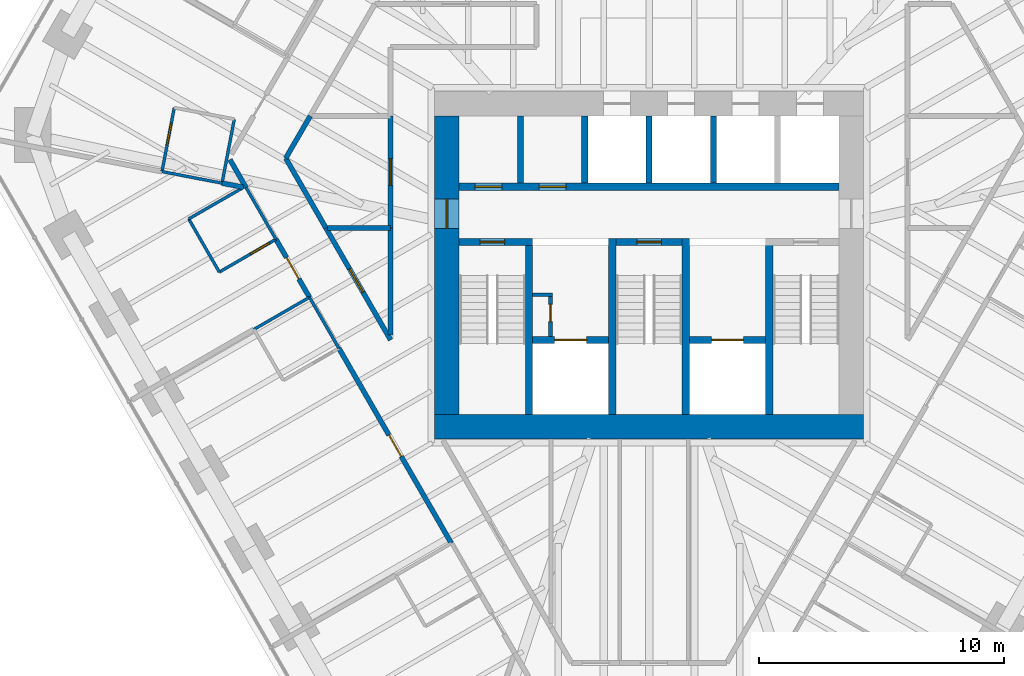
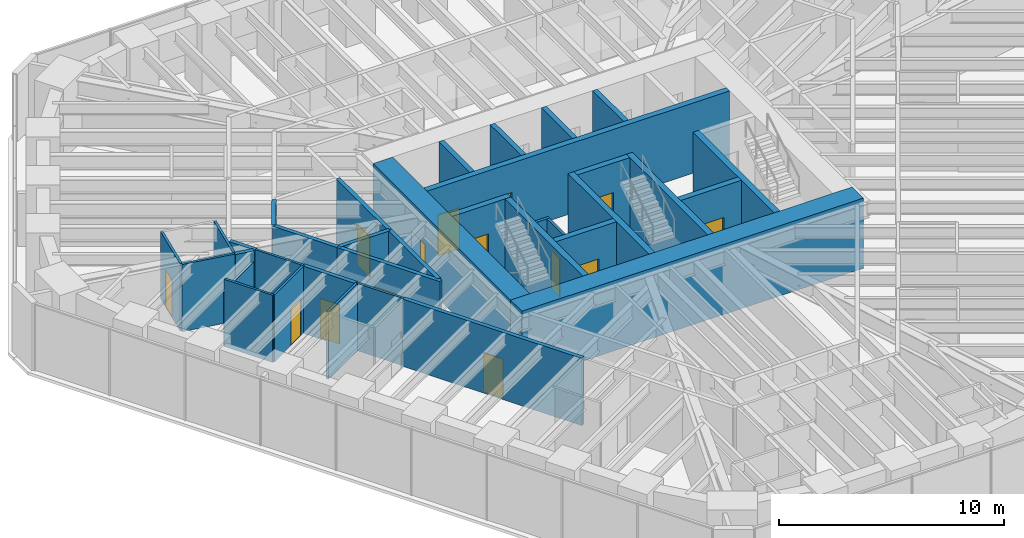
# One storey, part 12 of 17: 36 walls, 14 doors, 14 openings.
"""IFC4 building model written with IfcOpenShell, lengths in metres."""

from ifc_helpers import new_model, si_unit, direction, frame, frame_2d, origin, place, context, subcontext, project, spatial, rectangle, extrude, material, layer, layer_set, type_object, element, fill, save


model = new_model("IFC4")

# Units and contexts
model_context = context("Model", 3, precision=1e-05, world=origin(), true_north=direction((0.0, 1.0)))
body_context = subcontext(model_context, "Body", "Model", "MODEL_VIEW")
ifc_project = project(units=[si_unit("LENGTHUNIT", "METRE"), si_unit("AREAUNIT", "SQUARE_METRE"), si_unit("VOLUMEUNIT", "CUBIC_METRE"), si_unit("PLANEANGLEUNIT", "RADIAN"), si_unit("MASSUNIT", "GRAM", prefix="KILO")], contexts=[model_context])

# Site, building, storey
site_placement = place(None, origin())
site = spatial("IfcSite", under=ifc_project, at=site_placement, CompositionType="ELEMENT")
building_placement = place(site_placement, origin())
building = spatial("IfcBuilding", under=site, at=building_placement, Name="Sandreach Pilgrim Tower", CompositionType="ELEMENT")
storey_placement = place(building_placement, frame((0.0, 0.0, 217.39990234375)))
storey = spatial("IfcBuildingStorey", under=building, at=storey_placement, Name="L54", CompositionType="ELEMENT", Elevation=217.39990234375)

# Wall
ifc_material_1 = material(Name="Moisture-resistant gypsum board on steel studs", Category="steel")
ifc_layer_1 = layer(ifc_material_1, 0.1201171875)
ifc_layer_set_1 = layer_set([ifc_layer_1], Name="Bathroom partition 120")
wall_type_1 = type_object("IfcWallType", Name="Bathroom partition 120", PredefinedType="PARTITIONING", material=ifc_layer_set_1)
wall_1_placement = place(storey_placement, frame((-19.88134765625, 3.82275390625, 0.0), z_axis=(0.0, 0.0, 1.0), x_axis=(0.981896775229, -0.189416796496, 0.0)))
element("IfcWall", 1, at=wall_1_placement, inside=storey, type_object=wall_type_1, Name="Bathroom partition L54-003", PredefinedType="PARTITIONING", context=body_context, shape_type="SweptSolid", body=[
    extrude(rectangle(XDim=2.49658203125, YDim=0.1201171875, at=frame_2d((1.248291015625, 0.0))), origin(), (0.0, 0.0, 1.0), 3.64013671875),
])

# Wall, opening, door
wall_2_placement = place(storey_placement, frame((-19.3798828125, 6.429931640625, 0.0), z_axis=(0.0, 0.0, 1.0), x_axis=(-0.18885765444, -0.982004473696, 0.0)))
wall_2 = element("IfcWall", 2, at=wall_2_placement, inside=storey, type_object=wall_type_1, Name="Bathroom partition L54-004", PredefinedType="PARTITIONING", context=body_context, shape_type="SweptSolid", body=[
    extrude(rectangle(XDim=2.6474609375, YDim=0.1201171875, at=frame_2d((1.32373046875, 0.0))), origin(), (0.0, 0.0, 1.0), 3.64013671875),
])
opening_1_placement = place(wall_2_placement, frame((0.64990234375, 0.0, 0.0)))
opening_1 = element("IfcOpeningElement", 3, at=opening_1_placement, cuts=wall_2, Name="Opening D09-18B", PredefinedType="OPENING", context=body_context, shape_type="SweptSolid", body=[
    extrude(rectangle(XDim=0.89990234375, YDim=2.030029296875, at=frame_2d((0.449951171875, 1.01513671875))), frame((0.0, 0.06005859375, 0.0), z_axis=(0.0, -1.0, 0.0), x_axis=(1.0, 0.0, 0.0)), (0.0, 0.0, 1.0), 0.1201171875),
])
ifc_material_2 = material(Name="Timber door, steel frame", Category="steel")
door_type_1 = type_object("IfcDoorType", Name="Bathroom door", OperationType="SINGLE_SWING_LEFT", PredefinedType="DOOR", material=ifc_material_2)
door_1_placement = place(opening_1_placement, origin())
door_1 = element("IfcDoor", 4, at=door_1_placement, inside=storey, type_object=door_type_1, Name="Door 5418B", OperationType="SINGLE_SWING_LEFT", OverallHeight=2.030029296875, OverallWidth=0.89990234375, PredefinedType="DOOR", context=body_context, shape_type="SweptSolid", body=[
    extrude(rectangle(XDim=0.89990234375, YDim=2.030029296875, at=frame_2d((0.449951171875, 1.01513671875))), frame((0.0, 0.02490234375, 0.0), z_axis=(0.0, -1.0, 0.0), x_axis=(1.0, 0.0, 0.0)), (0.0, 0.0, 1.0), 0.050048828125),
])
fill(opening_1, door_1)

# Wall
wall_3_placement = place(storey_placement, frame((-18.7900390625, 1.889892578125, 0.0), z_axis=(0.0, 0.0, 1.0), x_axis=(0.499159685399, -0.866510016372, 0.0)))
element("IfcWall", 5, at=wall_3_placement, inside=storey, type_object=wall_type_1, Name="Bathroom partition L54-005", PredefinedType="PARTITIONING", context=body_context, shape_type="SweptSolid", body=[
    extrude(rectangle(XDim=2.504150390625, YDim=0.1201171875, at=frame_2d((1.251953125, 0.0))), origin(), (0.0, 0.0, 1.0), 3.64013671875),
])

# Wall, opening, door
wall_4_placement = place(storey_placement, frame((-17.5400390625, -0.280029296875, 0.0), z_axis=(0.0, 0.0, 1.0), x_axis=(0.86498992408, 0.501789229896, 0.0)))
wall_4 = element("IfcWall", 6, at=wall_4_placement, inside=storey, type_object=wall_type_1, Name="Bathroom partition L54-006", PredefinedType="PARTITIONING", context=body_context, shape_type="SweptSolid", body=[
    extrude(rectangle(XDim=2.670654296875, YDim=0.1201171875, at=frame_2d((1.33544921875, 0.0))), origin(), (0.0, 0.0, 1.0), 3.64013671875),
])
opening_2_placement = place(wall_4_placement, frame((1.470458984375, 0.0, 0.0)))
opening_2 = element("IfcOpeningElement", 7, at=opening_2_placement, cuts=wall_4, Name="Opening D09-17B", PredefinedType="OPENING", context=body_context, shape_type="SweptSolid", body=[
    extrude(rectangle(XDim=0.89990234375, YDim=2.030029296875, at=frame_2d((0.449951171875, 1.01513671875))), frame((0.0, 0.06005859375, 0.0), z_axis=(0.0, -1.0, 0.0), x_axis=(1.0, 0.0, 0.0)), (0.0, 0.0, 1.0), 0.1201171875),
])
door_2_placement = place(opening_2_placement, origin())
door_2 = element("IfcDoor", 8, at=door_2_placement, inside=storey, type_object=door_type_1, Name="Door 5417B", OperationType="SINGLE_SWING_RIGHT", OverallHeight=2.030029296875, OverallWidth=0.89990234375, PredefinedType="DOOR", context=body_context, shape_type="SweptSolid", body=[
    extrude(rectangle(XDim=0.89990234375, YDim=2.030029296875, at=frame_2d((0.449951171875, 1.01513671875))), frame((0.0, 0.02490234375, 0.0), z_axis=(0.0, -1.0, 0.0), x_axis=(1.0, 0.0, 0.0)), (0.0, 0.0, 1.0), 0.050048828125),
])
fill(opening_2, door_2)

# Walls
wall_5_placement = place(storey_placement, frame((-17.429931640625, 3.35009765625, 0.0), z_axis=(0.0, 0.0, 1.0), x_axis=(0.188159009227, 0.982138578433, 0.0)))
element("IfcWall", 9, at=wall_5_placement, inside=storey, type_object=wall_type_1, Name="Bathroom partition L54-007", PredefinedType="PARTITIONING", context=body_context, shape_type="SweptSolid", body=[
    extrude(rectangle(XDim=2.6572265625, YDim=0.1201171875, at=frame_2d((1.32861328125, 0.0))), origin(), (0.0, 0.0, 1.0), 3.64013671875),
])
wall_6_placement = place(storey_placement, frame((-16.623779296875, 3.1376953125, 0.0), z_axis=(0.0, 0.0, 1.0), x_axis=(-0.866525185869, -0.499133351175, 0.0)))
element("IfcWall", 10, at=wall_6_placement, inside=storey, type_object=wall_type_1, Name="Bathroom partition L54-013", PredefinedType="PARTITIONING", context=body_context, shape_type="SweptSolid", body=[
    extrude(rectangle(XDim=2.5, YDim=0.1201171875, at=frame_2d((1.25, 0.0))), origin(), (0.0, 0.0, 1.0), 3.0380859375),
])
wall_7_placement = place(storey_placement, frame((-16.449951171875, 3.169921875, 0.0), z_axis=(0.0, 0.0, 1.0), x_axis=(0.500566296323, -0.865698205488, 0.0)))
element("IfcWall", 11, at=wall_7_placement, inside=storey, type_object=wall_type_1, Name="Bathroom partition L54-014", PredefinedType="PARTITIONING", context=body_context, shape_type="SweptSolid", body=[
    extrude(rectangle(XDim=2.437255859375, YDim=0.1201171875, at=frame_2d((1.21875, 0.0))), origin(), (0.0, 0.0, 1.0), 3.64013671875),
])
wall_8_placement = place(storey_placement, frame((-16.1298828125, -2.6201171875, 0.0), z_axis=(0.0, 0.0, 1.0), x_axis=(0.866114241029, 0.499846097802, 0.0)))
element("IfcWall", 12, at=wall_8_placement, inside=storey, type_object=wall_type_1, Name="Bathroom partition L54-016", PredefinedType="PARTITIONING", context=body_context, shape_type="SweptSolid", body=[
    extrude(rectangle(XDim=2.620849609375, YDim=0.1201171875, at=frame_2d((1.310546875, 0.0))), origin(), (0.0, 0.0, 1.0), 3.64013671875),
])
wall_9_placement = place(storey_placement, frame((-13.860107421875, -1.31005859375, 0.0), z_axis=(0.0, 0.0, 1.0), x_axis=(0.499813401482, -0.866133109688, 0.0)))
element("IfcWall", 13, at=wall_9_placement, inside=storey, type_object=wall_type_1, Name="Bathroom partition L54-026", PredefinedType="PARTITIONING", context=body_context, shape_type="SweptSolid", body=[
    extrude(rectangle(XDim=2.4013671875, YDim=0.1201171875, at=frame_2d((1.20068359375, 0.0))), origin(), (0.0, 0.0, 1.0), 3.64013671875),
])
ifc_material_3 = material(Name="Concrete 10000 psi", Category="concrete")
ifc_layer_2 = layer(ifc_material_3, 0.300048828125)
ifc_layer_set_2 = layer_set([ifc_layer_2], Name="Core inner wall 300")
wall_type_2 = type_object("IfcWallType", Name="Core inner wall 300", PredefinedType="SHEAR", material=ifc_layer_set_2)
for number, where, z_axis, x_axis, name in (
    (14, (-4.89990234375, -6.10009765625, 0.0), (0.0, 0.0, 1.0), (0.0, 1.0, 0.0), "Core wall I0 L54"),
    (15, (-1.5, -6.10009765625, 0.0), (0.0, 0.0, 1.0), (0.0, 1.0, 0.0), "Core wall I1 L54"),
    (16, (1.5, -6.10009765625, 0.0), (0.0, 0.0, 1.0), (0.0, 1.0, 0.0), "Core wall I2 L54"),
    (17, (4.89990234375, -6.10009765625, 0.0), (0.0, 0.0, 1.0), (0.0, 1.0, 0.0), "Core wall I3 L54"),
):
    element("IfcWall", number, at=place(storey_placement, frame(where, z_axis=z_axis, x_axis=x_axis)), inside=storey, type_object=wall_type_2, Name=name, PredefinedType="SHEAR", context=body_context, shape_type="SweptSolid", body=[
        extrude(rectangle(XDim=7.2001953125, YDim=0.300048828125, at=frame_2d((3.60009765625, 0.0))), origin(), (0.0, 0.0, 1.0), 3.800048828125),
    ])

# Wall, opening, door
wall_10_placement = place(storey_placement, frame((-7.75, 0.949951171875, 0.0), z_axis=(0.0, 0.0, 1.0), x_axis=(1.0, 0.0, 0.0)))
wall_10 = element("IfcWall", 18, at=wall_10_placement, inside=storey, type_object=wall_type_2, Name="Core wall SN1 L54", PredefinedType="SHEAR", context=body_context, shape_type="SweptSolid", body=[
    extrude(rectangle(XDim=3.0, YDim=0.300048828125, at=frame_2d((1.5, 0.0))), origin(), (0.0, 0.0, 1.0), 3.800048828125),
])
opening_3_placement = place(wall_10_placement, frame((0.85009765625, 0.0, 0.0)))
opening_3 = element("IfcOpeningElement", 19, at=opening_3_placement, cuts=wall_10, Name="Opening D10S-ST1", PredefinedType="OPENING", context=body_context, shape_type="SweptSolid", body=[
    extrude(rectangle(XDim=1.0, YDim=2.199951171875, at=frame_2d((0.5, 1.10009765625))), frame((0.0, 0.14990234375, 0.0), z_axis=(0.0, -1.0, 0.0), x_axis=(1.0, 0.0, 0.0)), (0.0, 0.0, 1.0), 0.300048828125),
])
ifc_material_4 = material(Name="Steel door and frame", Category="steel")
door_type_2 = type_object("IfcDoorType", Name="Stair door", OperationType="SINGLE_SWING_LEFT", PredefinedType="DOOR", material=ifc_material_4)
door_3_placement = place(opening_3_placement, origin())
door_3 = element("IfcDoor", 20, at=door_3_placement, inside=storey, type_object=door_type_2, Name="Stair door ST1 L54", OperationType="SINGLE_SWING_LEFT", OverallHeight=2.199951171875, OverallWidth=1.0, PredefinedType="DOOR", context=body_context, shape_type="SweptSolid", body=[
    extrude(rectangle(XDim=1.0, YDim=2.199951171875, at=frame_2d((0.5, 1.10009765625))), frame((0.0, 0.02490234375, 0.0), z_axis=(0.0, -1.0, 0.0), x_axis=(1.0, 0.0, 0.0)), (0.0, 0.0, 1.0), 0.050048828125),
])
fill(opening_3, door_3)

wall_11_placement = place(storey_placement, frame((-1.35009765625, 0.949951171875, 0.0), z_axis=(0.0, 0.0, 1.0), x_axis=(1.0, 0.0, 0.0)))
wall_11 = element("IfcWall", 21, at=wall_11_placement, inside=storey, type_object=wall_type_2, Name="Core wall SN3 L54", PredefinedType="SHEAR", context=body_context, shape_type="SweptSolid", body=[
    extrude(rectangle(XDim=2.7001953125, YDim=0.300048828125, at=frame_2d((1.35009765625, 0.0))), origin(), (0.0, 0.0, 1.0), 3.800048828125),
])
opening_4_placement = place(wall_11_placement, frame((0.85009765625, 0.0, 0.0)))
opening_4 = element("IfcOpeningElement", 22, at=opening_4_placement, cuts=wall_11, Name="Opening D10S-ST3", PredefinedType="OPENING", context=body_context, shape_type="SweptSolid", body=[
    extrude(rectangle(XDim=1.0, YDim=2.199951171875, at=frame_2d((0.5, 1.10009765625))), frame((0.0, 0.14990234375, 0.0), z_axis=(0.0, -1.0, 0.0), x_axis=(1.0, 0.0, 0.0)), (0.0, 0.0, 1.0), 0.300048828125),
])
door_4_placement = place(opening_4_placement, origin())
door_4 = element("IfcDoor", 23, at=door_4_placement, inside=storey, type_object=door_type_2, Name="Stair door ST3 L54", OperationType="SINGLE_SWING_LEFT", OverallHeight=2.199951171875, OverallWidth=1.0, PredefinedType="DOOR", context=body_context, shape_type="SweptSolid", body=[
    extrude(rectangle(XDim=1.0, YDim=2.199951171875, at=frame_2d((0.5, 1.10009765625))), frame((0.0, 0.02490234375, 0.0), z_axis=(0.0, -1.0, 0.0), x_axis=(1.0, 0.0, 0.0)), (0.0, 0.0, 1.0), 0.050048828125),
])
fill(opening_4, door_4)

wall_12_placement = place(storey_placement, frame((-4.75, -3.050048828125, 0.0), z_axis=(0.0, 0.0, 1.0), x_axis=(1.0, 0.0, 0.0)))
wall_12 = element("IfcWall", 24, at=wall_12_placement, inside=storey, type_object=wall_type_2, Name="Core wall FL1 L54", PredefinedType="SHEAR", context=body_context, shape_type="SweptSolid", body=[
    extrude(rectangle(XDim=3.10009765625, YDim=0.300048828125, at=frame_2d((1.550048828125, 0.0))), origin(), (0.0, 0.0, 1.0), 3.800048828125),
])
opening_5_placement = place(wall_12_placement, frame((0.89990234375, 0.0, 0.0)))
opening_5 = element("IfcOpeningElement", 25, at=opening_5_placement, cuts=wall_12, Name="Opening LD13", PredefinedType="OPENING", context=body_context, shape_type="SweptSolid", body=[
    extrude(rectangle(XDim=1.300048828125, YDim=2.10009765625, at=frame_2d((0.64990234375, 1.050048828125))), frame((0.0, 0.14990234375, 0.0), z_axis=(0.0, -1.0, 0.0), x_axis=(1.0, 0.0, 0.0)), (0.0, 0.0, 1.0), 0.300048828125),
])
ifc_material_5 = material(Name="Steel door and frame", Category="steel")
door_type_3 = type_object("IfcDoorType", Name="Fire service lift landing door", OperationType="DOUBLE_DOOR_SLIDING", PredefinedType="DOOR", material=ifc_material_5)
door_5_placement = place(opening_5_placement, origin())
door_5 = element("IfcDoor", 26, at=door_5_placement, inside=storey, type_object=door_type_3, Name="Lift landing door FS1 L54", OperationType="DOUBLE_DOOR_SLIDING", OverallHeight=2.10009765625, OverallWidth=1.300048828125, PredefinedType="DOOR", context=body_context, shape_type="SweptSolid", body=[
    extrude(rectangle(XDim=1.300048828125, YDim=2.10009765625, at=frame_2d((0.64990234375, 1.050048828125))), frame((0.0, 0.02490234375, 0.0), z_axis=(0.0, -1.0, 0.0), x_axis=(1.0, 0.0, 0.0)), (0.0, 0.0, 1.0), 0.050048828125),
])
fill(opening_5, door_5)

wall_13_placement = place(storey_placement, frame((1.64990234375, -3.050048828125, 0.0), z_axis=(0.0, 0.0, 1.0), x_axis=(1.0, 0.0, 0.0)))
wall_13 = element("IfcWall", 27, at=wall_13_placement, inside=storey, type_object=wall_type_2, Name="Core wall FL2 L54", PredefinedType="SHEAR", context=body_context, shape_type="SweptSolid", body=[
    extrude(rectangle(XDim=3.10009765625, YDim=0.300048828125, at=frame_2d((1.550048828125, 0.0))), origin(), (0.0, 0.0, 1.0), 3.800048828125),
])
opening_6_placement = place(wall_13_placement, frame((0.89990234375, 0.0, 0.0)))
opening_6 = element("IfcOpeningElement", 28, at=opening_6_placement, cuts=wall_13, Name="Opening LD13", PredefinedType="OPENING", context=body_context, shape_type="SweptSolid", body=[
    extrude(rectangle(XDim=1.300048828125, YDim=2.10009765625, at=frame_2d((0.64990234375, 1.050048828125))), frame((0.0, 0.14990234375, 0.0), z_axis=(0.0, -1.0, 0.0), x_axis=(1.0, 0.0, 0.0)), (0.0, 0.0, 1.0), 0.300048828125),
])
door_6_placement = place(opening_6_placement, origin())
door_6 = element("IfcDoor", 29, at=door_6_placement, inside=storey, type_object=door_type_3, Name="Lift landing door FS2 L54", OperationType="DOUBLE_DOOR_SLIDING", OverallHeight=2.10009765625, OverallWidth=1.300048828125, PredefinedType="DOOR", context=body_context, shape_type="SweptSolid", body=[
    extrude(rectangle(XDim=1.300048828125, YDim=2.10009765625, at=frame_2d((0.64990234375, 1.050048828125))), frame((0.0, 0.02490234375, 0.0), z_axis=(0.0, -1.0, 0.0), x_axis=(1.0, 0.0, 0.0)), (0.0, 0.0, 1.0), 0.050048828125),
])
fill(opening_6, door_6)

# Wall, openings, doors
wall_14_placement = place(storey_placement, frame((-7.75, 3.199951171875, 0.0), z_axis=(0.0, 0.0, 1.0), x_axis=(1.0, 0.0, 0.0)))
wall_14 = element("IfcWall", 30, at=wall_14_placement, inside=storey, type_object=wall_type_2, Name="Core wall PN L54", PredefinedType="SHEAR", context=body_context, shape_type="SweptSolid", body=[
    extrude(rectangle(XDim=15.5, YDim=0.300048828125, at=frame_2d((7.75, 0.0))), origin(), (0.0, 0.0, 1.0), 3.800048828125),
])
opening_7_placement = place(wall_14_placement, frame((0.637451171875, 0.0, 0.0)))
opening_7 = element("IfcOpeningElement", 31, at=opening_7_placement, cuts=wall_14, Name="Opening D11L", PredefinedType="OPENING", context=body_context, shape_type="SweptSolid", body=[
    extrude(rectangle(XDim=1.10009765625, YDim=2.199951171875, at=frame_2d((0.550048828125, 1.10009765625))), frame((0.0, 0.14990234375, 0.0), z_axis=(0.0, -1.0, 0.0), x_axis=(1.0, 0.0, 0.0)), (0.0, 0.0, 1.0), 0.300048828125),
])
opening_8_placement = place(wall_14_placement, frame((3.262451171875, 0.0, 0.0)))
opening_8 = element("IfcOpeningElement", 32, at=opening_8_placement, cuts=wall_14, Name="Opening D11L", PredefinedType="OPENING", context=body_context, shape_type="SweptSolid", body=[
    extrude(rectangle(XDim=1.10009765625, YDim=2.199951171875, at=frame_2d((0.550048828125, 1.10009765625))), frame((0.0, 0.14990234375, 0.0), z_axis=(0.0, -1.0, 0.0), x_axis=(1.0, 0.0, 0.0)), (0.0, 0.0, 1.0), 0.300048828125),
])
ifc_material_6 = material(Name="Steel door and frame, smoke seals", Category="steel")
door_type_4 = type_object("IfcDoorType", Name="Core room door", OperationType="SINGLE_SWING_LEFT", PredefinedType="DOOR", material=ifc_material_6)
door_7_placement = place(opening_7_placement, origin())
door_7 = element("IfcDoor", 33, at=door_7_placement, inside=storey, type_object=door_type_4, Name="Door guest pantry 54K1", OperationType="SINGLE_SWING_LEFT", OverallHeight=2.199951171875, OverallWidth=1.10009765625, PredefinedType="DOOR", context=body_context, shape_type="SweptSolid", body=[
    extrude(rectangle(XDim=1.10009765625, YDim=2.199951171875, at=frame_2d((0.550048828125, 1.10009765625))), frame((0.0, 0.02490234375, 0.0), z_axis=(0.0, -1.0, 0.0), x_axis=(1.0, 0.0, 0.0)), (0.0, 0.0, 1.0), 0.050048828125),
])
fill(opening_7, door_7)
door_8_placement = place(opening_8_placement, origin())
door_8 = element("IfcDoor", 34, at=door_8_placement, inside=storey, type_object=door_type_4, Name="Door it room 54K2", OperationType="SINGLE_SWING_LEFT", OverallHeight=2.199951171875, OverallWidth=1.10009765625, PredefinedType="DOOR", context=body_context, shape_type="SweptSolid", body=[
    extrude(rectangle(XDim=1.10009765625, YDim=2.199951171875, at=frame_2d((0.550048828125, 1.10009765625))), frame((0.0, 0.02490234375, 0.0), z_axis=(0.0, -1.0, 0.0), x_axis=(1.0, 0.0, 0.0)), (0.0, 0.0, 1.0), 0.050048828125),
])
fill(opening_8, door_8)

# Wall
ifc_material_7 = material(Name="Concrete 10000 psi", Category="concrete")
ifc_layer_3 = layer(ifc_material_7, 1.0)
ifc_layer_set_3 = layer_set([ifc_layer_3], Name="Core wall 1000")
wall_type_3 = type_object("IfcWallType", Name="Core wall 1000", PredefinedType="SHEAR", material=ifc_layer_set_3)
wall_15_placement = place(storey_placement, frame((-8.75, -6.60009765625, 0.0), z_axis=(0.0, 0.0, 1.0), x_axis=(1.0, 0.0, 0.0)))
element("IfcWall", 35, at=wall_15_placement, inside=storey, type_object=wall_type_3, Name="Core wall S L54", PredefinedType="SHEAR", context=body_context, shape_type="SweptSolid", body=[
    extrude(rectangle(XDim=17.5, YDim=1.0, at=frame_2d((8.75, 0.0))), origin(), (0.0, 0.0, 1.0), 3.800048828125),
])

# Wall, opening, door
wall_16_placement = place(storey_placement, frame((-8.25, -6.10009765625, 0.0), z_axis=(0.0, 0.0, 1.0), x_axis=(0.0, 1.0, 0.0)))
wall_16 = element("IfcWall", 36, at=wall_16_placement, inside=storey, type_object=wall_type_3, Name="Core wall W L54", PredefinedType="SHEAR", context=body_context, shape_type="SweptSolid", body=[
    extrude(rectangle(XDim=12.2001953125, YDim=1.0, at=frame_2d((6.10009765625, 0.0))), origin(), (0.0, 0.0, 1.0), 3.800048828125),
])
opening_9_placement = place(wall_16_placement, frame((7.60009765625, 0.0, 0.0)))
opening_9 = element("IfcOpeningElement", 37, at=opening_9_placement, cuts=wall_16, Name="Opening D12F-W", PredefinedType="OPENING", context=body_context, shape_type="SweptSolid", body=[
    extrude(rectangle(XDim=1.199951171875, YDim=2.199951171875, at=frame_2d((0.60009765625, 1.10009765625))), frame((0.0, 0.5, 0.0), z_axis=(0.0, -1.0, 0.0), x_axis=(1.0, 0.0, 0.0)), (0.0, 0.0, 1.0), 1.0),
])
ifc_material_8 = material(Name="Steel door and frame", Category="steel")
door_type_5 = type_object("IfcDoorType", Name="Fire lobby door", OperationType="SINGLE_SWING_LEFT", PredefinedType="DOOR", material=ifc_material_8)
door_9_placement = place(opening_9_placement, origin())
door_9 = element("IfcDoor", 38, at=door_9_placement, inside=storey, type_object=door_type_5, Name="Fire service lobby door W L54", OperationType="SINGLE_SWING_RIGHT", OverallHeight=2.199951171875, OverallWidth=1.199951171875, PredefinedType="DOOR", context=body_context, shape_type="SweptSolid", body=[
    extrude(rectangle(XDim=1.199951171875, YDim=2.199951171875, at=frame_2d((0.60009765625, 1.10009765625))), frame((0.0, 0.02490234375, 0.0), z_axis=(0.0, -1.0, 0.0), x_axis=(1.0, 0.0, 0.0)), (0.0, 0.0, 1.0), 0.050048828125),
])
fill(opening_9, door_9)

# Wall
ifc_material_9 = material(Name="Gypsum board on steel studs, two layers each side", Category="steel")
ifc_layer_4 = layer(ifc_material_9, 0.199951171875)
ifc_layer_set_4 = layer_set([ifc_layer_4], Name="Corridor wall 200")
wall_type_4 = type_object("IfcWallType", Name="Corridor wall 200", PredefinedType="PARTITIONING", material=ifc_layer_set_4)
wall_17_placement = place(storey_placement, frame((-17.107666015625, 4.313720703125, 0.0), z_axis=(0.0, 0.0, 1.0), x_axis=(0.498488506644, -0.866896307954, 0.0)))
element("IfcWall", 39, at=wall_17_placement, inside=storey, type_object=wall_type_4, Name="Corridor wall L54-009", PredefinedType="PARTITIONING", context=body_context, shape_type="SweptSolid", body=[
    extrude(rectangle(XDim=1.3193359375, YDim=0.199951171875, at=frame_2d((0.65966796875, 0.0))), origin(), (0.0, 0.0, 1.0), 3.64013671875),
])

# Wall, opening, door
wall_18_placement = place(storey_placement, frame((-15.22998046875, 1.06005859375, 0.0), z_axis=(0.0, 0.0, 1.0), x_axis=(0.500406860043, -0.865790375565, 0.0)))
wall_18 = element("IfcWall", 40, at=wall_18_placement, inside=storey, type_object=wall_type_4, Name="Corridor wall L54-019", PredefinedType="PARTITIONING", context=body_context, shape_type="SweptSolid", body=[
    extrude(rectangle(XDim=2.737548828125, YDim=0.199951171875, at=frame_2d((1.36865234375, 0.0))), origin(), (0.0, 0.0, 1.0), 3.64013671875),
])
opening_10_placement = place(wall_18_placement, frame((0.86865234375, 0.0, 0.0)))
opening_10 = element("IfcOpeningElement", 41, at=opening_10_placement, cuts=wall_18, Name="Opening D10-17", PredefinedType="OPENING", context=body_context, shape_type="SweptSolid", body=[
    extrude(rectangle(XDim=1.0, YDim=2.1298828125, at=frame_2d((0.5, 1.06494140625))), frame((0.0, 0.10009765625, 0.0), z_axis=(0.0, -1.0, 0.0), x_axis=(1.0, 0.0, 0.0)), (0.0, 0.0, 1.0), 0.199951171875),
])
ifc_material_10 = material(Name="Steel door and frame", Category="steel")
door_type_6 = type_object("IfcDoorType", Name="Guest room entry door", OperationType="SINGLE_SWING_LEFT", PredefinedType="DOOR", material=ifc_material_10)
door_10_placement = place(opening_10_placement, origin())
door_10 = element("IfcDoor", 42, at=door_10_placement, inside=storey, type_object=door_type_6, Name="Door 5417", OperationType="SINGLE_SWING_LEFT", OverallHeight=2.1298828125, OverallWidth=1.0, PredefinedType="DOOR", context=body_context, shape_type="SweptSolid", body=[
    extrude(rectangle(XDim=1.0, YDim=2.1298828125, at=frame_2d((0.5, 1.06494140625))), frame((0.0, 0.02490234375, 0.0), z_axis=(0.0, -1.0, 0.0), x_axis=(1.0, 0.0, 0.0)), (0.0, 0.0, 1.0), 0.050048828125),
])
fill(opening_10, door_10)

# Walls
wall_19_placement = place(storey_placement, frame((-14.830078125, 4.3701171875, 0.0), z_axis=(0.0, 0.0, 1.0), x_axis=(0.502626855825, 0.864503466623, 0.0)))
element("IfcWall", 43, at=wall_19_placement, inside=storey, type_object=wall_type_4, Name="Corridor wall L54-022", PredefinedType="PARTITIONING", context=body_context, shape_type="SweptSolid", body=[
    extrude(rectangle(XDim=1.989501953125, YDim=0.199951171875, at=frame_2d((0.99462890625, 0.0))), origin(), (0.0, 0.0, 1.0), 3.64013671875),
])
wall_20_placement = place(storey_placement, frame((-13.18994140625, 1.52001953125, 0.0), z_axis=(0.0, 0.0, 1.0), x_axis=(-0.498775186059, 0.866731396554, 0.0)))
element("IfcWall", 44, at=wall_20_placement, inside=storey, type_object=wall_type_4, Name="Corridor wall L54-030", PredefinedType="PARTITIONING", context=body_context, shape_type="SweptSolid", body=[
    extrude(rectangle(XDim=3.288330078125, YDim=0.199951171875, at=frame_2d((1.64404296875, 0.0))), origin(), (0.0, 0.0, 1.0), 3.64013671875),
])

# Wall, opening, door
wall_21_placement = place(storey_placement, frame((-12.659912109375, -3.389892578125, 0.0), z_axis=(0.0, 0.0, 1.0), x_axis=(0.499511590934, -0.866307203319, 0.0)))
wall_21 = element("IfcWall", 45, at=wall_21_placement, inside=storey, type_object=wall_type_4, Name="Corridor wall L54-031", PredefinedType="PARTITIONING", context=body_context, shape_type="SweptSolid", body=[
    extrude(rectangle(XDim=9.188720703125, YDim=0.199951171875, at=frame_2d((4.59423828125, 0.0))), origin(), (0.0, 0.0, 1.0), 3.64013671875),
])
opening_11_placement = place(wall_21_placement, frame((4.09423828125, 0.0, 0.0)))
opening_11 = element("IfcOpeningElement", 46, at=opening_11_placement, cuts=wall_21, Name="Opening D10-16", PredefinedType="OPENING", context=body_context, shape_type="SweptSolid", body=[
    extrude(rectangle(XDim=1.0, YDim=2.1298828125, at=frame_2d((0.5, 1.06494140625))), frame((0.0, 0.10009765625, 0.0), z_axis=(0.0, -1.0, 0.0), x_axis=(1.0, 0.0, 0.0)), (0.0, 0.0, 1.0), 0.199951171875),
])
door_11_placement = place(opening_11_placement, origin())
door_11 = element("IfcDoor", 47, at=door_11_placement, inside=storey, type_object=door_type_6, Name="Door 5416", OperationType="SINGLE_SWING_LEFT", OverallHeight=2.1298828125, OverallWidth=1.0, PredefinedType="DOOR", context=body_context, shape_type="SweptSolid", body=[
    extrude(rectangle(XDim=1.0, YDim=2.1298828125, at=frame_2d((0.5, 1.06494140625))), frame((0.0, 0.02490234375, 0.0), z_axis=(0.0, -1.0, 0.0), x_axis=(1.0, 0.0, 0.0)), (0.0, 0.0, 1.0), 0.050048828125),
])
fill(opening_11, door_11)

wall_22_placement = place(storey_placement, frame((-10.550048828125, -3.050048828125, 0.0), z_axis=(0.0, 0.0, 1.0), x_axis=(-0.500193590286, 0.865913605527, 0.0)))
wall_22 = element("IfcWall", 48, at=wall_22_placement, inside=storey, type_object=wall_type_4, Name="Corridor wall L54-036", PredefinedType="PARTITIONING", context=body_context, shape_type="SweptSolid", body=[
    extrude(rectangle(XDim=5.27783203125, YDim=0.199951171875, at=frame_2d((2.638916015625, 0.0))), origin(), (0.0, 0.0, 1.0), 3.64013671875),
])
opening_12_placement = place(wall_22_placement, frame((2.25, 0.0, 0.0)))
opening_12 = element("IfcOpeningElement", 49, at=opening_12_placement, cuts=wall_22, Name="Opening D11H-M02", PredefinedType="OPENING", context=body_context, shape_type="SweptSolid", body=[
    extrude(rectangle(XDim=1.10009765625, YDim=2.199951171875, at=frame_2d((0.550048828125, 1.10009765625))), frame((0.0, 0.10009765625, 0.0), z_axis=(0.0, -1.0, 0.0), x_axis=(1.0, 0.0, 0.0)), (0.0, 0.0, 1.0), 0.199951171875),
])
ifc_material_11 = material(Name="Steel door and frame", Category="steel")
door_type_7 = type_object("IfcDoorType", Name="Back of house door", OperationType="SINGLE_SWING_LEFT", PredefinedType="DOOR", material=ifc_material_11)
door_12_placement = place(opening_12_placement, origin())
door_12 = element("IfcDoor", 50, at=door_12_placement, inside=storey, type_object=door_type_7, Name="Door 54M02", OperationType="SINGLE_SWING_RIGHT", OverallHeight=2.199951171875, OverallWidth=1.10009765625, PredefinedType="DOOR", context=body_context, shape_type="SweptSolid", body=[
    extrude(rectangle(XDim=1.10009765625, YDim=2.199951171875, at=frame_2d((0.550048828125, 1.10009765625))), frame((0.0, 0.02490234375, 0.0), z_axis=(0.0, -1.0, 0.0), x_axis=(1.0, 0.0, 0.0)), (0.0, 0.0, 1.0), 0.050048828125),
])
fill(opening_12, door_12)

# Wall
wall_23_placement = place(storey_placement, frame((-10.550048828125, 1.52001953125, 0.0), z_axis=(0.0, 0.0, 1.0), x_axis=(0.0, -1.0, 0.0)))
element("IfcWall", 51, at=wall_23_placement, inside=storey, type_object=wall_type_4, Name="Corridor wall L54-037", PredefinedType="PARTITIONING", context=body_context, shape_type="SweptSolid", body=[
    extrude(rectangle(XDim=4.375, YDim=0.199951171875, at=frame_2d((2.1875, 0.0))), origin(), (0.0, 0.0, 1.0), 3.64013671875),
])

# Wall, opening, door
wall_24_placement = place(storey_placement, frame((-10.550048828125, 6.090087890625, 0.0), z_axis=(0.0, 0.0, 1.0), x_axis=(0.0, -1.0, 0.0)))
wall_24 = element("IfcWall", 52, at=wall_24_placement, inside=storey, type_object=wall_type_4, Name="Corridor wall L54-038", PredefinedType="PARTITIONING", context=body_context, shape_type="SweptSolid", body=[
    extrude(rectangle(XDim=4.570068359375, YDim=0.199951171875, at=frame_2d((2.28515625, 0.0))), origin(), (0.0, 0.0, 1.0), 3.64013671875),
])
opening_13_placement = place(wall_24_placement, frame((1.735107421875, 0.0, 0.0)))
opening_13 = element("IfcOpeningElement", 53, at=opening_13_placement, cuts=wall_24, Name="Opening D11H-M01", PredefinedType="OPENING", context=body_context, shape_type="SweptSolid", body=[
    extrude(rectangle(XDim=1.10009765625, YDim=2.199951171875, at=frame_2d((0.550048828125, 1.10009765625))), frame((0.0, 0.10009765625, 0.0), z_axis=(0.0, -1.0, 0.0), x_axis=(1.0, 0.0, 0.0)), (0.0, 0.0, 1.0), 0.199951171875),
])
door_13_placement = place(opening_13_placement, origin())
door_13 = element("IfcDoor", 54, at=door_13_placement, inside=storey, type_object=door_type_7, Name="Door 54M01", OperationType="SINGLE_SWING_LEFT", OverallHeight=2.199951171875, OverallWidth=1.10009765625, PredefinedType="DOOR", context=body_context, shape_type="SweptSolid", body=[
    extrude(rectangle(XDim=1.10009765625, YDim=2.199951171875, at=frame_2d((0.550048828125, 1.10009765625))), frame((0.0, 0.02490234375, 0.0), z_axis=(0.0, -1.0, 0.0), x_axis=(1.0, 0.0, 0.0)), (0.0, 0.0, 1.0), 0.050048828125),
])
fill(opening_13, door_13)

# Walls
ifc_material_12 = material(Name="Double steel stud acoustic wall, gypsum board", Category="steel")
ifc_layer_5 = layer(ifc_material_12, 0.199951171875)
ifc_layer_set_5 = layer_set([ifc_layer_5], Name="Party wall 200")
wall_type_5 = type_object("IfcWallType", Name="Party wall 200", PredefinedType="PARTITIONING", material=ifc_layer_set_5)
wall_25_placement = place(storey_placement, frame((-17.429931640625, 3.349853515625, 0.0), z_axis=(0.0, 0.0, 1.0), x_axis=(0.981858463983, -0.189615286052, 0.0)))
element("IfcWall", 55, at=wall_25_placement, inside=storey, type_object=wall_type_5, Name="Party wall L54-008", PredefinedType="PARTITIONING", context=body_context, shape_type="SweptSolid", body=[
    extrude(rectangle(XDim=0.896240234375, YDim=0.199951171875, at=frame_2d((0.4482421875, 0.0))), origin(), (0.0, 0.0, 1.0), 3.64013671875),
])
wall_26_placement = place(storey_placement, frame((-10.56005859375, 1.52001953125, 0.0), z_axis=(0.0, 0.0, 1.0), x_axis=(-1.0, 0.0, 0.0)))
element("IfcWall", 56, at=wall_26_placement, inside=storey, type_object=wall_type_5, Name="Party wall L54-035", PredefinedType="PARTITIONING", context=body_context, shape_type="SweptSolid", body=[
    extrude(rectangle(XDim=2.56005859375, YDim=0.199951171875, at=frame_2d((1.280029296875, 0.0))), origin(), (0.0, 0.0, 1.0), 3.64013671875),
])

# Wall, opening, door
ifc_material_13 = material(Name="Gypsum shaft wall on steel studs, shaft liner board", Category="steel")
ifc_layer_6 = layer(ifc_material_13, 0.14990234375)
ifc_layer_set_6 = layer_set([ifc_layer_6], Name="Riser shaft wall 150")
wall_type_6 = type_object("IfcWallType", Name="Riser shaft wall 150", PredefinedType="PARTITIONING", material=ifc_layer_set_6)
wall_27_placement = place(storey_placement, frame((-4.02490234375, -2.89990234375, 0.0), z_axis=(0.0, 0.0, 1.0), x_axis=(0.0, 1.0, 0.0)))
wall_27 = element("IfcWall", 57, at=wall_27_placement, inside=storey, type_object=wall_type_6, Name="Riser partition L54 side", PredefinedType="PARTITIONING", context=body_context, shape_type="SweptSolid", body=[
    extrude(rectangle(XDim=1.77490234375, YDim=0.14990234375, at=frame_2d((0.887451171875, 0.0))), origin(), (0.0, 0.0, 1.0), 3.64013671875),
])
opening_14_placement = place(wall_27_placement, frame((0.60009765625, 0.0, 0.0)))
opening_14 = element("IfcOpeningElement", 58, at=opening_14_placement, cuts=wall_27, Name="Opening D07R", PredefinedType="OPENING", context=body_context, shape_type="SweptSolid", body=[
    extrude(rectangle(XDim=0.699951171875, YDim=2.10009765625, at=frame_2d((0.35009765625, 1.050048828125))), frame((0.0, 0.074951171875, 0.0), z_axis=(0.0, -1.0, 0.0), x_axis=(1.0, 0.0, 0.0)), (0.0, 0.0, 1.0), 0.14990234375),
])
ifc_material_14 = material(Name="Steel door and frame, smoke seals", Category="steel")
door_type_8 = type_object("IfcDoorType", Name="Riser access door", OperationType="SINGLE_SWING_RIGHT", PredefinedType="DOOR", material=ifc_material_14)
door_14_placement = place(opening_14_placement, origin())
door_14 = element("IfcDoor", 59, at=door_14_placement, inside=storey, type_object=door_type_8, Name="Door riser 54ER", OperationType="SINGLE_SWING_RIGHT", OverallHeight=2.10009765625, OverallWidth=0.699951171875, PredefinedType="DOOR", context=body_context, shape_type="SweptSolid", body=[
    extrude(rectangle(XDim=0.699951171875, YDim=2.10009765625, at=frame_2d((0.35009765625, 1.050048828125))), frame((0.0, 0.02490234375, 0.0), z_axis=(0.0, -1.0, 0.0), x_axis=(1.0, 0.0, 0.0)), (0.0, 0.0, 1.0), 0.050048828125),
])
fill(opening_14, door_14)

# Walls
wall_28_placement = place(storey_placement, frame((-4.75, -1.199951171875, 0.0), z_axis=(0.0, 0.0, 1.0), x_axis=(1.0, 0.0, 0.0)))
element("IfcWall", 60, at=wall_28_placement, inside=storey, type_object=wall_type_6, Name="Riser partition L54 front", PredefinedType="PARTITIONING", context=body_context, shape_type="SweptSolid", body=[
    extrude(rectangle(XDim=0.800048828125, YDim=0.14990234375, at=frame_2d((0.39990234375, 0.0))), origin(), (0.0, 0.0, 1.0), 3.64013671875),
])
ifc_material_15 = material(Name="Gypsum shaft wall on steel studs, two layers of shaft liner board", Category="steel")
ifc_layer_7 = layer(ifc_material_15, 0.25)
ifc_layer_set_7 = layer_set([ifc_layer_7], Name="Shaft partition 250")
wall_type_7 = type_object("IfcWallType", Name="Shaft partition 250", PredefinedType="PARTITIONING", material=ifc_layer_set_7)
for number, where, z_axis, x_axis, name in (
    (61, (-5.25, 3.35009765625, 0.0), (0.0, 0.0, 1.0), (0.0, 1.0, 0.0), "Shaft partition NS0 L54"),
    (62, (-2.625, 3.35009765625, 0.0), (0.0, 0.0, 1.0), (0.0, 1.0, 0.0), "Shaft partition NS1 L54"),
    (63, (0.0, 3.35009765625, 0.0), (0.0, 0.0, 1.0), (0.0, 1.0, 0.0), "Shaft partition NS2 L54"),
    (64, (2.625, 3.35009765625, 0.0), (0.0, 0.0, 1.0), (0.0, 1.0, 0.0), "Shaft partition NS3 L54"),
):
    element("IfcWall", number, at=place(storey_placement, frame(where, z_axis=z_axis, x_axis=x_axis)), inside=storey, type_object=wall_type_7, Name=name, PredefinedType="PARTITIONING", context=body_context, shape_type="SweptSolid", body=[
        extrude(rectangle(XDim=2.75, YDim=0.25, at=frame_2d((1.375, 0.0))), origin(), (0.0, 0.0, 1.0), 3.800048828125),
    ])

save(model, "model.ifc")
